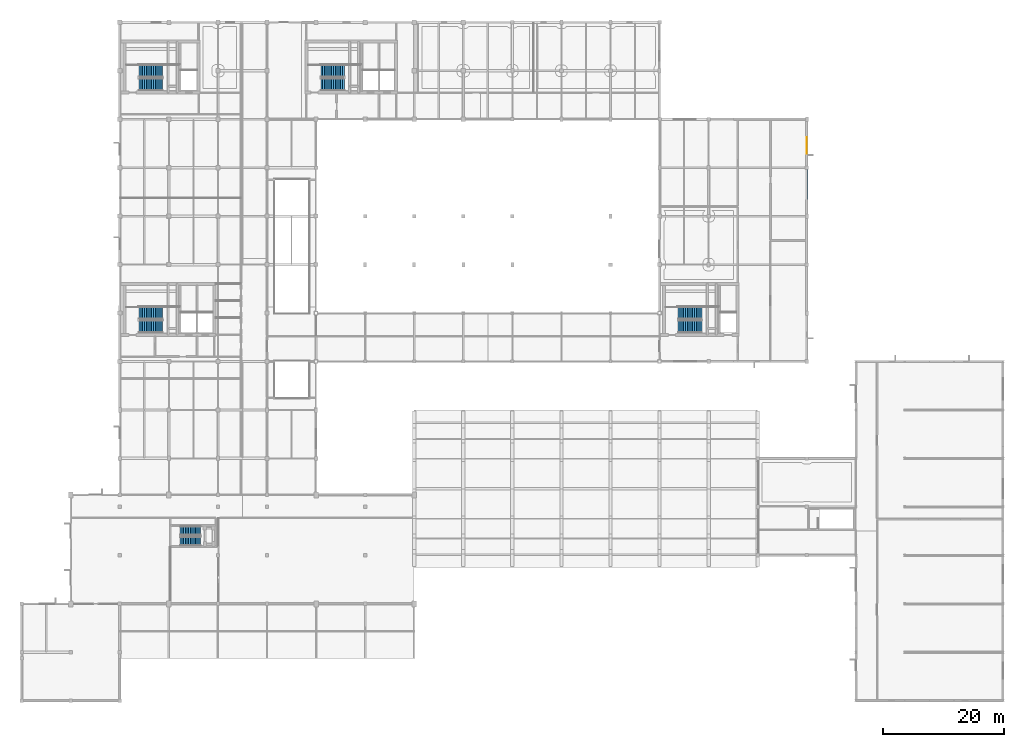
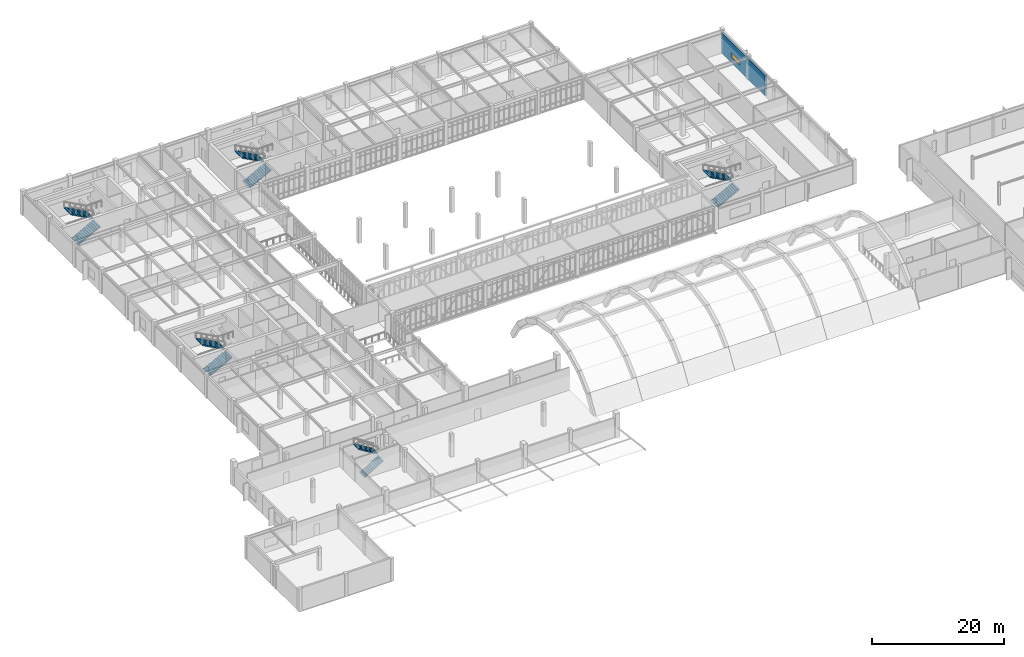
# One storey, part 57 of 67: 10 stair flights, 1 wall, 1 window, 1 opening, 5 elements without a shape of their own.
"""IFC4 building model written with IfcOpenShell, lengths in metres."""

import ifcopenshell
import ifcopenshell.guid

model = None  # the IFC model being written
_history = None  # IfcOwnerHistory: only IFC2X3 demands one
_inside = {}  # id of a spatial element -> (the spatial element, [elements in it])
_under = {}  # id of a project, library or spatial element -> (it, [spatial elements below it])
_declared = {}  # id of a project -> (the project, [libraries it declares])
_typed = {}  # id of a type object -> (the type object, [elements of that type])
_made_of = {}  # id of a material, layer set ... -> (it, [elements and type objects made of it])


def new_model(schema):
    """Start an empty IFC model of exactly this schema.

    Asked for "IFC4X3", IfcOpenShell would pick the latest addendum, in which some entities
    have other attributes; the version numbers below select the first issue.
    IFC2X3 requires an IfcOwnerHistory on every rooted entity: one is made here for all.
    """
    global model, _history
    if schema == "IFC4X3":
        model = ifcopenshell.file(schema_version=(4, 3, 0, 0))
    else:
        model = ifcopenshell.file(schema=schema)
    _inside.clear()
    _under.clear()
    _declared.clear()
    _typed.clear()
    _made_of.clear()
    _history = None
    if model.schema == "IFC2X3":
        org = make("IfcOrganization", Name="unknown")
        user = make(
            "IfcPersonAndOrganization",
            ThePerson=make("IfcPerson", FamilyName="unknown"),
            TheOrganization=org,
        )
        app = make(
            "IfcApplication",
            ApplicationDeveloper=org,
            Version="unknown",
            ApplicationFullName="unknown",
            ApplicationIdentifier="unknown",
        )
        _history = make(
            "IfcOwnerHistory",
            OwningUser=user,
            OwningApplication=app,
            ChangeAction="ADDED",
            CreationDate=0,
        )
    return model


def make(cls, **values):
    """One entity of the class cls with the attributes given. An attribute that is None is left unset."""
    return model.create_entity(
        cls, **{name: value for name, value in values.items() if value is not None}
    )


def rooted(cls, **values):
    """An entity with a GlobalId (a new one), such as an element, a storey or a relation."""
    return make(cls, GlobalId=ifcopenshell.guid.new(), OwnerHistory=_history, **values)


def si_unit(unit_type, name, prefix=None):
    """IfcSIUnit, for example si_unit("LENGTHUNIT", "METRE", prefix="MILLI")."""
    return make("IfcSIUnit", UnitType=unit_type, Prefix=prefix, Name=name)


def assignment(units):
    """IfcUnitAssignment: the units of a project."""
    return None if units is None else make("IfcUnitAssignment", Units=units)


def point(xyz):
    """IfcCartesianPoint."""
    return None if xyz is None else make("IfcCartesianPoint", Coordinates=xyz)


def direction(xyz):
    """IfcDirection."""
    return None if xyz is None else make("IfcDirection", DirectionRatios=xyz)


def frame(location, z_axis=None, x_axis=None):
    """IfcAxis2Placement3D, a coordinate frame: its origin and axes. An axis left out is left unset."""
    return make(
        "IfcAxis2Placement3D",
        Location=point(location),
        Axis=direction(z_axis),
        RefDirection=direction(x_axis),
    )


def frame_2d(location, x_axis=None):
    """IfcAxis2Placement2D, a coordinate frame in the plane: its origin and x axis."""
    return make(
        "IfcAxis2Placement2D", Location=point(location), RefDirection=direction(x_axis)
    )


def origin():
    """The frame at (0, 0, 0) with its axes left unset."""
    return frame((0.0, 0.0, 0.0))


def place(relative_to, where):
    """IfcLocalPlacement: puts the frame where relative to a parent placement (None: the world)."""
    return make(
        "IfcLocalPlacement", PlacementRelTo=relative_to, RelativePlacement=where
    )


def context(
    kind, dimensions, precision=None, world=None, true_north=None, identifier=None
):
    """IfcGeometricRepresentationContext, for example the 3D "Model" context."""
    return make(
        "IfcGeometricRepresentationContext",
        ContextIdentifier=identifier,
        ContextType=kind,
        CoordinateSpaceDimension=dimensions,
        Precision=precision,
        WorldCoordinateSystem=world,
        TrueNorth=true_north,
    )


def subcontext(parent, identifier, kind, view, scale=None):
    """IfcGeometricRepresentationSubContext, for example "Body" below "Model"."""
    return make(
        "IfcGeometricRepresentationSubContext",
        ContextIdentifier=identifier,
        ContextType=kind,
        ParentContext=parent,
        TargetScale=scale,
        TargetView=view,
    )


def project(units=None, contexts=None):
    """IfcProject with its units and contexts."""
    return rooted(
        "IfcProject",
        Name="project",
        RepresentationContexts=contexts,
        UnitsInContext=assignment(units),
    )


def spatial(cls, under=None, at=None, **own):
    """A site, building, storey or space (cls), placed at a placement, below another one or the project."""
    s = rooted(cls, ObjectPlacement=at, **own)
    if under is not None:
        _under.setdefault(under.id(), (under, []))[1].append(s)
    return s


def polyline(points):
    """IfcPolyline through the points."""
    return make("IfcPolyline", Points=[point(p) for p in points])


def profile(cls, at=None, kind="AREA", **sizes):
    """A parametric profile (cls). Its sizes go by their IFC names, for example OverallWidth=200.0."""
    return make(cls, ProfileType=kind, Position=at, **sizes)


def rectangle(**sizes):
    """IfcRectangleProfileDef."""
    return profile("IfcRectangleProfileDef", **sizes)


def outline(outer, holes=None, kind="AREA"):
    """IfcArbitraryClosedProfileDef: a profile drawn as a closed curve; with holes, ...WithVoids."""
    if holes is None:
        return make("IfcArbitraryClosedProfileDef", ProfileType=kind, OuterCurve=outer)
    return make(
        "IfcArbitraryProfileDefWithVoids",
        ProfileType=kind,
        OuterCurve=outer,
        InnerCurves=holes,
    )


def extrude(swept, where, along, depth):
    """IfcExtrudedAreaSolid: the profile swept, set in the frame where, extruded along a direction by depth."""
    return make(
        "IfcExtrudedAreaSolid",
        SweptArea=swept,
        Position=where,
        ExtrudedDirection=direction(along),
        Depth=depth,
    )


def shape(context_of_items, identifier, shape_type, items):
    """IfcShapeRepresentation: the items that make up one representation, for example the "Body"."""
    return make(
        "IfcShapeRepresentation",
        ContextOfItems=context_of_items,
        RepresentationIdentifier=identifier,
        RepresentationType=shape_type,
        Items=items,
    )


def material(Name=None, Category=None):
    """IfcMaterial."""
    return make("IfcMaterial", Name=Name, Category=Category)


def layer(
    of_material, thickness, ventilated=None, Name=None, Category=None, Priority=None
):
    """IfcMaterialLayer: one layer of a wall or slab, of a material (None: an air gap)."""
    return make(
        "IfcMaterialLayer",
        Material=of_material,
        LayerThickness=thickness,
        IsVentilated=ventilated,
        Name=Name,
        Category=Category,
        Priority=Priority,
    )


def layer_set(layers, Name=None):
    """IfcMaterialLayerSet."""
    return make("IfcMaterialLayerSet", MaterialLayers=layers, LayerSetName=Name)


def made_of(thing, what):
    """Note that an element or type object is made of a material, layer set ...; save() writes the relation."""
    if what is not None:
        _made_of.setdefault(what.id(), (what, []))[1].append(thing)
    return thing


def type_object(cls, material=None, **own):
    """A type object (cls), such as IfcWallType, which elements share."""
    return made_of(rooted(cls, **own), material)


def element(
    cls,
    number,
    at=None,
    inside=None,
    cuts=None,
    type_object=None,
    material=None,
    context=None,
    identifier="Body",
    shape_type=None,
    held_by="IfcProductDefinitionShape",
    body=None,
    shapes=None,
    **own,
):
    """One element of the class cls, such as IfcWall. Its Tag is "e" and its number.

    at: its placement. inside: the storey or other place that contains it. cuts: it is an
    opening in that element (IfcRelVoidsElement). A single representation is given by context,
    identifier, shape_type and body (its items); several are given by shapes. held_by: the class
    of the entity that holds the representations. save() writes the other relations.
    """
    e = rooted(cls, Tag="e%d" % number, ObjectPlacement=at, **own)
    if body is not None:
        shapes = [shape(context, identifier, shape_type, body)]
    if shapes is not None:
        e.Representation = make(held_by, Representations=shapes)
    if inside is not None:
        _inside.setdefault(inside.id(), (inside, []))[1].append(e)
    if cuts is not None:
        rooted(
            "IfcRelVoidsElement", RelatingBuildingElement=cuts, RelatedOpeningElement=e
        )
    if type_object is not None:
        _typed.setdefault(type_object.id(), (type_object, []))[1].append(e)
    return made_of(e, material)


def fill(opening, filler):
    """IfcRelFillsElement: the door or window that sits in an opening."""
    return rooted(
        "IfcRelFillsElement",
        RelatingOpeningElement=opening,
        RelatedBuildingElement=filler,
    )


def aggregate(whole, parts):
    """IfcRelAggregates: a whole, such as a stair, and the parts it consists of."""
    return rooted("IfcRelAggregates", RelatingObject=whole, RelatedObjects=parts)


def save(model, path):
    """Write the relations noted so far, then the file.

    IfcRelAggregates (storeys below a building ...), IfcRelContainedInSpatialStructure (elements
    in a storey), IfcRelDefinesByType, IfcRelAssociatesMaterial and IfcRelDeclares: one each for
    every whole, place, type object, material and project.
    """
    for whole, parts in _under.values():
        aggregate(whole, parts)
    for where, things in _inside.values():
        rooted(
            "IfcRelContainedInSpatialStructure",
            RelatedElements=things,
            RelatingStructure=where,
        )
    for kind, things in _typed.values():
        rooted("IfcRelDefinesByType", RelatedObjects=things, RelatingType=kind)
    for what, things in _made_of.values():
        rooted("IfcRelAssociatesMaterial", RelatedObjects=things, RelatingMaterial=what)
    for by, libraries in _declared.values():
        rooted("IfcRelDeclares", RelatingContext=by, RelatedDefinitions=libraries)
    model.write(path)


model = new_model("IFC4")

# Units and contexts
model_context = context("Model", 3, precision=1e-05, world=origin(), true_north=direction((0.0, 1.0)))
body_context = subcontext(model_context, "Body", "Model", "MODEL_VIEW")
ifc_project = project(units=[si_unit("LENGTHUNIT", "METRE"), si_unit("AREAUNIT", "SQUARE_METRE"), si_unit("VOLUMEUNIT", "CUBIC_METRE"), si_unit("PLANEANGLEUNIT", "RADIAN"), si_unit("MASSUNIT", "GRAM", prefix="KILO")], contexts=[model_context])

# Site, building, storey
site_placement = place(None, origin())
site = spatial("IfcSite", under=ifc_project, at=site_placement, CompositionType="ELEMENT")
building_placement = place(site_placement, origin())
building = spatial("IfcBuilding", under=site, at=building_placement, Name="Tarnveldt Square Police Headquarters", CompositionType="ELEMENT")
storey_placement = place(building_placement, frame((0.0, 0.0, 10.199951171875)))
storey = spatial("IfcBuildingStorey", under=building, at=storey_placement, Name="L02", CompositionType="ELEMENT", Elevation=10.199951171875)

# Wall, opening, window
ifc_material_1 = material(Name="Concrete 40 MPa", Category="concrete")
ifc_layer = layer(ifc_material_1, 0.320068359375)
ifc_layer_set = layer_set([ifc_layer], Name="Concrete 40 MPa")
wall_type = type_object("IfcWallType", Name="WL-EXT-BH320", PredefinedType="SOLIDWALL", material=ifc_layer_set)
wall_placement = place(storey_placement, frame((129.60009765625, 82.666748046875, 0.0), z_axis=(0.0, 0.0, 1.0), x_axis=(0.0, 1.0, 0.0)))
wall = element("IfcWall", 1, at=wall_placement, inside=storey, type_object=wall_type, Name="L02 Brutalist Exterior Wall 0125", PredefinedType="SOLIDWALL", context=body_context, shape_type="SweptSolid", body=[
    extrude(rectangle(XDim=13.333251953125, YDim=0.320068359375, at=frame_2d((6.66650390625, 0.0))), origin(), (0.0, 0.0, 1.0), 3.73193359375),
])
opening_placement = place(wall_placement, frame((7.64990234375, 0.0, 0.949951171875)))
opening = element("IfcOpeningElement", 2, at=opening_placement, cuts=wall, Name="Opening W22", PredefinedType="OPENING", context=body_context, shape_type="SweptSolid", body=[
    extrude(rectangle(XDim=2.699951171875, YDim=0.89990234375, at=frame_2d((1.35009765625, 0.449951171875))), frame((0.0, 0.169921875, 0.0), z_axis=(0.0, -1.0, 0.0), x_axis=(1.0, 0.0, 0.0)), (0.0, 0.0, 1.0), 0.340087890625),
])
ifc_material_2 = material(Name="Triple-glazed low-e laminated vision glass", Category="glass")
window_type = type_object("IfcWindowType", Name="WIN-CLR-270x090", PartitioningType="TRIPLE_PANEL_VERTICAL", PredefinedType="WINDOW", material=ifc_material_2)
window_placement = place(opening_placement, origin())
window = element("IfcWindow", 3, at=window_placement, inside=storey, type_object=window_type, Name="L02 Deep-Reveal Brutalist Window 0046", OverallHeight=0.89990234375, OverallWidth=2.699951171875, PartitioningType="TRIPLE_PANEL_VERTICAL", PredefinedType="WINDOW", context=body_context, shape_type="SweptSolid", body=[
    extrude(rectangle(XDim=2.699951171875, YDim=0.89990234375, at=frame_2d((1.35009765625, 0.449951171875))), frame((0.0, 0.030029296875, 0.0), z_axis=(0.0, -1.0, 0.0), x_axis=(1.0, 0.0, 0.0)), (0.0, 0.0, 1.0), 0.06005859375),
])
fill(opening, window)

# Stair, stair flights
stair_type_1 = type_object("IfcStairType", Name="STR-HT-48A", PredefinedType="HALF_TURN_STAIR", material=ifc_material_1)
stair_1_placement = place(storey_placement, origin())
stair_1 = element("IfcStair", 4, at=stair_1_placement, inside=storey, type_object=stair_type_1, Name="L02 Core K1 Exit Stair ST1", PredefinedType="HALF_TURN_STAIR")
stair_flight_type_1 = type_object("IfcStairFlightType", Name="STF-HT-48A", PredefinedType="STRAIGHT", material=ifc_material_1)
stair_flight_1_placement = place(storey_placement, frame((19.3701171875, 61.7451171875, 0.0), z_axis=(0.0, 0.0, 1.0), x_axis=(1.0, 0.0, 0.0)))
stair_flight_1 = element("IfcStairFlight", 5, at=stair_flight_1_placement, type_object=stair_flight_type_1, Name="ST1 flight 1", NumberOfRisers=14, NumberOfTreads=13, PredefinedType="STRAIGHT", RiserHeight=0.160714286, TreadLength=0.3, context=body_context, shape_type="SweptSolid", body=[
    extrude(outline(polyline([(0.0, 0.0), (0.0, 0.16064453125), (0.300048828125, 0.16064453125), (0.300048828125, 0.321533203125), (0.60009765625, 0.321533203125), (0.60009765625, 0.482177734375), (0.89990234375, 0.482177734375), (0.89990234375, 0.642822265625), (1.199951171875, 0.642822265625), (1.199951171875, 0.803466796875), (1.5, 0.803466796875), (1.5, 0.96435546875), (1.800048828125, 0.96435546875), (1.800048828125, 1.125), (2.10009765625, 1.125), (2.10009765625, 1.28564453125), (2.39990234375, 1.28564453125), (2.39990234375, 1.446533203125), (2.699951171875, 1.446533203125), (2.699951171875, 1.607177734375), (3.0, 1.607177734375), (3.0, 1.767822265625), (3.300048828125, 1.767822265625), (3.300048828125, 1.928466796875), (3.60009765625, 1.928466796875), (3.60009765625, 2.08935546875), (3.89990234375, 2.08935546875), (3.89990234375, 2.25), (3.89990234375, 1.919189453125), (0.3173828125, 0.0), (0.0, 0.0)])), frame((0.0, 1.02490234375, 0.0), z_axis=(0.0, -1.0, 0.0), x_axis=(1.0, 0.0, 0.0)), (0.0, 0.0, 1.0), 2.050048828125),
])
stair_flight_2_placement = place(storey_placement, frame((23.27001953125, 63.9951171875, 2.25), z_axis=(0.0, 0.0, 1.0), x_axis=(-1.0, 0.0, 0.0)))
stair_flight_2 = element("IfcStairFlight", 6, at=stair_flight_2_placement, type_object=stair_flight_type_1, Name="ST1 flight 2", NumberOfRisers=14, NumberOfTreads=13, PredefinedType="STRAIGHT", RiserHeight=0.160714286, TreadLength=0.3, context=body_context, shape_type="SweptSolid", body=[
    extrude(outline(polyline([(0.0, 0.0), (0.0, 0.16064453125), (0.300048828125, 0.16064453125), (0.300048828125, 0.321533203125), (0.60009765625, 0.321533203125), (0.60009765625, 0.482177734375), (0.89990234375, 0.482177734375), (0.89990234375, 0.642822265625), (1.199951171875, 0.642822265625), (1.199951171875, 0.803466796875), (1.5, 0.803466796875), (1.5, 0.96435546875), (1.800048828125, 0.96435546875), (1.800048828125, 1.125), (2.10009765625, 1.125), (2.10009765625, 1.28564453125), (2.39990234375, 1.28564453125), (2.39990234375, 1.446533203125), (2.699951171875, 1.446533203125), (2.699951171875, 1.607177734375), (3.0, 1.607177734375), (3.0, 1.767822265625), (3.300048828125, 1.767822265625), (3.300048828125, 1.928466796875), (3.60009765625, 1.928466796875), (3.60009765625, 2.08935546875), (3.89990234375, 2.08935546875), (3.89990234375, 2.25), (3.89990234375, 1.919189453125), (0.3173828125, 0.0), (0.0, 0.0)])), frame((0.0, 1.02490234375, 0.0), z_axis=(0.0, -1.0, 0.0), x_axis=(1.0, 0.0, 0.0)), (0.0, 0.0, 1.0), 2.050048828125),
])
aggregate(stair_1, [stair_flight_1, stair_flight_2])

stair_2_placement = place(storey_placement, origin())
stair_2 = element("IfcStair", 7, at=stair_2_placement, inside=storey, type_object=stair_type_1, Name="L02 Core K2 Exit Stair ST2", PredefinedType="HALF_TURN_STAIR")
stair_flight_3_placement = place(storey_placement, frame((19.3701171875, 101.7451171875, 0.0), z_axis=(0.0, 0.0, 1.0), x_axis=(1.0, 0.0, 0.0)))
stair_flight_3 = element("IfcStairFlight", 8, at=stair_flight_3_placement, type_object=stair_flight_type_1, Name="ST2 flight 1", NumberOfRisers=14, NumberOfTreads=13, PredefinedType="STRAIGHT", RiserHeight=0.160714286, TreadLength=0.3, context=body_context, shape_type="SweptSolid", body=[
    extrude(outline(polyline([(0.0, 0.0), (0.0, 0.16064453125), (0.300048828125, 0.16064453125), (0.300048828125, 0.321533203125), (0.60009765625, 0.321533203125), (0.60009765625, 0.482177734375), (0.89990234375, 0.482177734375), (0.89990234375, 0.642822265625), (1.199951171875, 0.642822265625), (1.199951171875, 0.803466796875), (1.5, 0.803466796875), (1.5, 0.96435546875), (1.800048828125, 0.96435546875), (1.800048828125, 1.125), (2.10009765625, 1.125), (2.10009765625, 1.28564453125), (2.39990234375, 1.28564453125), (2.39990234375, 1.446533203125), (2.699951171875, 1.446533203125), (2.699951171875, 1.607177734375), (3.0, 1.607177734375), (3.0, 1.767822265625), (3.300048828125, 1.767822265625), (3.300048828125, 1.928466796875), (3.60009765625, 1.928466796875), (3.60009765625, 2.08935546875), (3.89990234375, 2.08935546875), (3.89990234375, 2.25), (3.89990234375, 1.919189453125), (0.3173828125, 0.0), (0.0, 0.0)])), frame((0.0, 1.02490234375, 0.0), z_axis=(0.0, -1.0, 0.0), x_axis=(1.0, 0.0, 0.0)), (0.0, 0.0, 1.0), 2.050048828125),
])
stair_flight_4_placement = place(storey_placement, frame((23.27001953125, 103.9951171875, 2.25), z_axis=(0.0, 0.0, 1.0), x_axis=(-1.0, 0.0, 0.0)))
stair_flight_4 = element("IfcStairFlight", 9, at=stair_flight_4_placement, type_object=stair_flight_type_1, Name="ST2 flight 2", NumberOfRisers=14, NumberOfTreads=13, PredefinedType="STRAIGHT", RiserHeight=0.160714286, TreadLength=0.3, context=body_context, shape_type="SweptSolid", body=[
    extrude(outline(polyline([(0.0, 0.0), (0.0, 0.16064453125), (0.300048828125, 0.16064453125), (0.300048828125, 0.321533203125), (0.60009765625, 0.321533203125), (0.60009765625, 0.482177734375), (0.89990234375, 0.482177734375), (0.89990234375, 0.642822265625), (1.199951171875, 0.642822265625), (1.199951171875, 0.803466796875), (1.5, 0.803466796875), (1.5, 0.96435546875), (1.800048828125, 0.96435546875), (1.800048828125, 1.125), (2.10009765625, 1.125), (2.10009765625, 1.28564453125), (2.39990234375, 1.28564453125), (2.39990234375, 1.446533203125), (2.699951171875, 1.446533203125), (2.699951171875, 1.607177734375), (3.0, 1.607177734375), (3.0, 1.767822265625), (3.300048828125, 1.767822265625), (3.300048828125, 1.928466796875), (3.60009765625, 1.928466796875), (3.60009765625, 2.08935546875), (3.89990234375, 2.08935546875), (3.89990234375, 2.25), (3.89990234375, 1.919189453125), (0.3173828125, 0.0), (0.0, 0.0)])), frame((0.0, 1.02490234375, 0.0), z_axis=(0.0, -1.0, 0.0), x_axis=(1.0, 0.0, 0.0)), (0.0, 0.0, 1.0), 2.050048828125),
])
aggregate(stair_2, [stair_flight_3, stair_flight_4])

stair_3_placement = place(storey_placement, origin())
stair_3 = element("IfcStair", 10, at=stair_3_placement, inside=storey, type_object=stair_type_1, Name="L02 Core K3 Exit Stair ST3", PredefinedType="HALF_TURN_STAIR")
stair_flight_5_placement = place(storey_placement, frame((49.3701171875, 101.7451171875, 0.0), z_axis=(0.0, 0.0, 1.0), x_axis=(1.0, 0.0, 0.0)))
stair_flight_5 = element("IfcStairFlight", 11, at=stair_flight_5_placement, type_object=stair_flight_type_1, Name="ST3 flight 1", NumberOfRisers=14, NumberOfTreads=13, PredefinedType="STRAIGHT", RiserHeight=0.160714286, TreadLength=0.3, context=body_context, shape_type="SweptSolid", body=[
    extrude(outline(polyline([(0.0, 0.0), (0.0, 0.16064453125), (0.300048828125, 0.16064453125), (0.300048828125, 0.321533203125), (0.60009765625, 0.321533203125), (0.60009765625, 0.482177734375), (0.89990234375, 0.482177734375), (0.89990234375, 0.642822265625), (1.199951171875, 0.642822265625), (1.199951171875, 0.803466796875), (1.5, 0.803466796875), (1.5, 0.96435546875), (1.800048828125, 0.96435546875), (1.800048828125, 1.125), (2.10009765625, 1.125), (2.10009765625, 1.28564453125), (2.39990234375, 1.28564453125), (2.39990234375, 1.446533203125), (2.699951171875, 1.446533203125), (2.699951171875, 1.607177734375), (3.0, 1.607177734375), (3.0, 1.767822265625), (3.300048828125, 1.767822265625), (3.300048828125, 1.928466796875), (3.60009765625, 1.928466796875), (3.60009765625, 2.08935546875), (3.89990234375, 2.08935546875), (3.89990234375, 2.25), (3.89990234375, 1.919189453125), (0.3173828125, 0.0), (0.0, 0.0)])), frame((0.0, 1.02490234375, 0.0), z_axis=(0.0, -1.0, 0.0), x_axis=(1.0, 0.0, 0.0)), (0.0, 0.0, 1.0), 2.050048828125),
])
stair_flight_6_placement = place(storey_placement, frame((53.27001953125, 103.9951171875, 2.25), z_axis=(0.0, 0.0, 1.0), x_axis=(-1.0, 0.0, 0.0)))
stair_flight_6 = element("IfcStairFlight", 12, at=stair_flight_6_placement, type_object=stair_flight_type_1, Name="ST3 flight 2", NumberOfRisers=14, NumberOfTreads=13, PredefinedType="STRAIGHT", RiserHeight=0.160714286, TreadLength=0.3, context=body_context, shape_type="SweptSolid", body=[
    extrude(outline(polyline([(0.0, 0.0), (0.0, 0.16064453125), (0.300048828125, 0.16064453125), (0.300048828125, 0.321533203125), (0.60009765625, 0.321533203125), (0.60009765625, 0.482177734375), (0.89990234375, 0.482177734375), (0.89990234375, 0.642822265625), (1.199951171875, 0.642822265625), (1.199951171875, 0.803466796875), (1.5, 0.803466796875), (1.5, 0.96435546875), (1.800048828125, 0.96435546875), (1.800048828125, 1.125), (2.10009765625, 1.125), (2.10009765625, 1.28564453125), (2.39990234375, 1.28564453125), (2.39990234375, 1.446533203125), (2.699951171875, 1.446533203125), (2.699951171875, 1.607177734375), (3.0, 1.607177734375), (3.0, 1.767822265625), (3.300048828125, 1.767822265625), (3.300048828125, 1.928466796875), (3.60009765625, 1.928466796875), (3.60009765625, 2.08935546875), (3.89990234375, 2.08935546875), (3.89990234375, 2.25), (3.89990234375, 1.919189453125), (0.3173828125, 0.0), (0.0, 0.0)])), frame((0.0, 1.02490234375, 0.0), z_axis=(0.0, -1.0, 0.0), x_axis=(1.0, 0.0, 0.0)), (0.0, 0.0, 1.0), 2.050048828125),
])
aggregate(stair_3, [stair_flight_5, stair_flight_6])

stair_type_2 = type_object("IfcStairType", Name="STR-HT-48B", PredefinedType="HALF_TURN_STAIR", material=ifc_material_1)
stair_4_placement = place(storey_placement, origin())
stair_4 = element("IfcStair", 13, at=stair_4_placement, inside=storey, type_object=stair_type_2, Name="L02 Core K4 Exit Stair ST4", PredefinedType="HALF_TURN_STAIR")
stair_flight_type_2 = type_object("IfcStairFlightType", Name="STF-HT-48B", PredefinedType="STRAIGHT", material=ifc_material_1)
stair_flight_7_placement = place(storey_placement, frame((108.3701171875, 61.7451171875, 0.0), z_axis=(0.0, 0.0, 1.0), x_axis=(1.0, 0.0, 0.0)))
stair_flight_7 = element("IfcStairFlight", 14, at=stair_flight_7_placement, type_object=stair_flight_type_2, Name="ST4 flight 1", NumberOfRisers=14, NumberOfTreads=13, PredefinedType="STRAIGHT", RiserHeight=0.160714286, TreadLength=0.3, context=body_context, shape_type="SweptSolid", body=[
    extrude(outline(polyline([(0.0, 0.0), (0.0, 0.16064453125), (0.300048828125, 0.16064453125), (0.300048828125, 0.321533203125), (0.60009765625, 0.321533203125), (0.60009765625, 0.482177734375), (0.89990234375, 0.482177734375), (0.89990234375, 0.642822265625), (1.199951171875, 0.642822265625), (1.199951171875, 0.803466796875), (1.5, 0.803466796875), (1.5, 0.96435546875), (1.800048828125, 0.96435546875), (1.800048828125, 1.125), (2.10009765625, 1.125), (2.10009765625, 1.28564453125), (2.39990234375, 1.28564453125), (2.39990234375, 1.446533203125), (2.699951171875, 1.446533203125), (2.699951171875, 1.607177734375), (3.0, 1.607177734375), (3.0, 1.767822265625), (3.300048828125, 1.767822265625), (3.300048828125, 1.928466796875), (3.60009765625, 1.928466796875), (3.60009765625, 2.08935546875), (3.89990234375, 2.08935546875), (3.89990234375, 2.25), (3.89990234375, 1.919189453125), (0.3173828125, 0.0), (0.0, 0.0)])), frame((0.0, 1.02490234375, 0.0), z_axis=(0.0, -1.0, 0.0), x_axis=(1.0, 0.0, 0.0)), (0.0, 0.0, 1.0), 2.050048828125),
])
stair_flight_8_placement = place(storey_placement, frame((112.27001953125, 63.9951171875, 2.25), z_axis=(0.0, 0.0, 1.0), x_axis=(-1.0, 0.0, 0.0)))
stair_flight_8 = element("IfcStairFlight", 15, at=stair_flight_8_placement, type_object=stair_flight_type_2, Name="ST4 flight 2", NumberOfRisers=14, NumberOfTreads=13, PredefinedType="STRAIGHT", RiserHeight=0.160714286, TreadLength=0.3, context=body_context, shape_type="SweptSolid", body=[
    extrude(outline(polyline([(0.0, 0.0), (0.0, 0.16064453125), (0.300048828125, 0.16064453125), (0.300048828125, 0.321533203125), (0.60009765625, 0.321533203125), (0.60009765625, 0.482177734375), (0.89990234375, 0.482177734375), (0.89990234375, 0.642822265625), (1.199951171875, 0.642822265625), (1.199951171875, 0.803466796875), (1.5, 0.803466796875), (1.5, 0.96435546875), (1.800048828125, 0.96435546875), (1.800048828125, 1.125), (2.10009765625, 1.125), (2.10009765625, 1.28564453125), (2.39990234375, 1.28564453125), (2.39990234375, 1.446533203125), (2.699951171875, 1.446533203125), (2.699951171875, 1.607177734375), (3.0, 1.607177734375), (3.0, 1.767822265625), (3.300048828125, 1.767822265625), (3.300048828125, 1.928466796875), (3.60009765625, 1.928466796875), (3.60009765625, 2.08935546875), (3.89990234375, 2.08935546875), (3.89990234375, 2.25), (3.89990234375, 1.919189453125), (0.3173828125, 0.0), (0.0, 0.0)])), frame((0.0, 1.02490234375, 0.0), z_axis=(0.0, -1.0, 0.0), x_axis=(1.0, 0.0, 0.0)), (0.0, 0.0, 1.0), 2.050048828125),
])
aggregate(stair_4, [stair_flight_7, stair_flight_8])

stair_type_3 = type_object("IfcStairType", Name="STR-HT-48C", PredefinedType="HALF_TURN_STAIR", material=ifc_material_1)
stair_5_placement = place(storey_placement, origin())
stair_5 = element("IfcStair", 16, at=stair_5_placement, inside=storey, type_object=stair_type_3, Name="L02 Plinth and Command Lantern Exit Stair ST6", PredefinedType="HALF_TURN_STAIR")
stair_flight_type_3 = type_object("IfcStairFlightType", Name="STF-HT-48C", PredefinedType="STRAIGHT", material=ifc_material_1)
stair_flight_9_placement = place(storey_placement, frame((26.169921875, 26.340087890625, 0.0), z_axis=(0.0, 0.0, 1.0), x_axis=(1.0, 0.0, 0.0)))
stair_flight_9 = element("IfcStairFlight", 17, at=stair_flight_9_placement, type_object=stair_flight_type_3, Name="ST6 flight 1", NumberOfRisers=13, NumberOfTreads=12, PredefinedType="STRAIGHT", RiserHeight=0.173076923, TreadLength=0.28, context=body_context, shape_type="SweptSolid", body=[
    extrude(outline(polyline([(0.0, 0.0), (0.0, 0.173095703125), (0.280029296875, 0.173095703125), (0.280029296875, 0.34619140625), (0.56005859375, 0.34619140625), (0.56005859375, 0.519287109375), (0.840087890625, 0.519287109375), (0.840087890625, 0.6923828125), (1.1201171875, 0.6923828125), (1.1201171875, 0.865478515625), (1.39990234375, 0.865478515625), (1.39990234375, 1.03857421875), (1.679931640625, 1.03857421875), (1.679931640625, 1.21142578125), (1.9599609375, 1.21142578125), (1.9599609375, 1.384521484375), (2.239990234375, 1.384521484375), (2.239990234375, 1.5576171875), (2.52001953125, 1.5576171875), (2.52001953125, 1.730712890625), (2.800048828125, 1.730712890625), (2.800048828125, 1.90380859375), (3.080078125, 1.90380859375), (3.080078125, 2.076904296875), (3.360107421875, 2.076904296875), (3.360107421875, 2.25), (3.360107421875, 1.900634765625), (0.28515625, 0.0), (0.0, 0.0)])), frame((0.0, 0.760009765625, 0.0), z_axis=(0.0, -1.0, 0.0), x_axis=(1.0, 0.0, 0.0)), (0.0, 0.0, 1.0), 1.52001953125),
])
stair_flight_10_placement = place(storey_placement, frame((29.530029296875, 28.06005859375, 2.25), z_axis=(0.0, 0.0, 1.0), x_axis=(-1.0, 0.0, 0.0)))
stair_flight_10 = element("IfcStairFlight", 18, at=stair_flight_10_placement, type_object=stair_flight_type_3, Name="ST6 flight 2", NumberOfRisers=13, NumberOfTreads=12, PredefinedType="STRAIGHT", RiserHeight=0.173076923, TreadLength=0.28, context=body_context, shape_type="SweptSolid", body=[
    extrude(outline(polyline([(0.0, 0.0), (0.0, 0.173095703125), (0.280029296875, 0.173095703125), (0.280029296875, 0.34619140625), (0.56005859375, 0.34619140625), (0.56005859375, 0.519287109375), (0.840087890625, 0.519287109375), (0.840087890625, 0.6923828125), (1.1201171875, 0.6923828125), (1.1201171875, 0.865478515625), (1.39990234375, 0.865478515625), (1.39990234375, 1.03857421875), (1.679931640625, 1.03857421875), (1.679931640625, 1.21142578125), (1.9599609375, 1.21142578125), (1.9599609375, 1.384521484375), (2.239990234375, 1.384521484375), (2.239990234375, 1.5576171875), (2.52001953125, 1.5576171875), (2.52001953125, 1.730712890625), (2.800048828125, 1.730712890625), (2.800048828125, 1.90380859375), (3.080078125, 1.90380859375), (3.080078125, 2.076904296875), (3.360107421875, 2.076904296875), (3.360107421875, 2.25), (3.360107421875, 1.900634765625), (0.28515625, 0.0), (0.0, 0.0)])), frame((0.0, 0.760009765625, 0.0), z_axis=(0.0, -1.0, 0.0), x_axis=(1.0, 0.0, 0.0)), (0.0, 0.0, 1.0), 1.52001953125),
])
aggregate(stair_5, [stair_flight_9, stair_flight_10])

save(model, "model.ifc")
